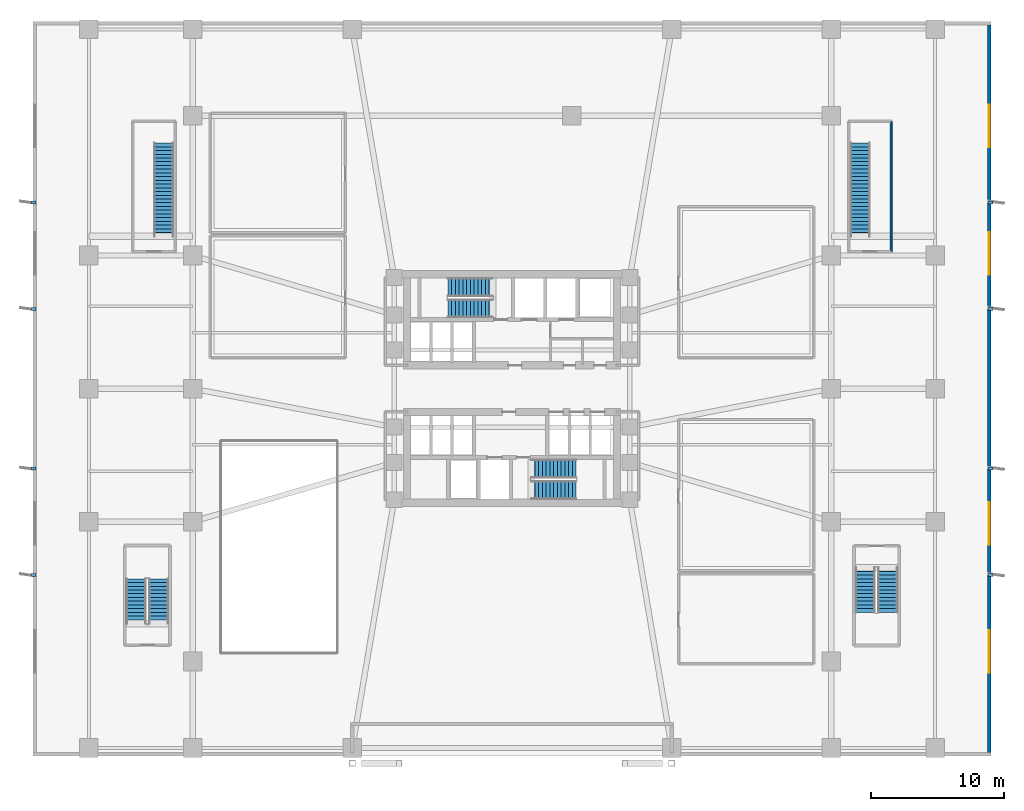
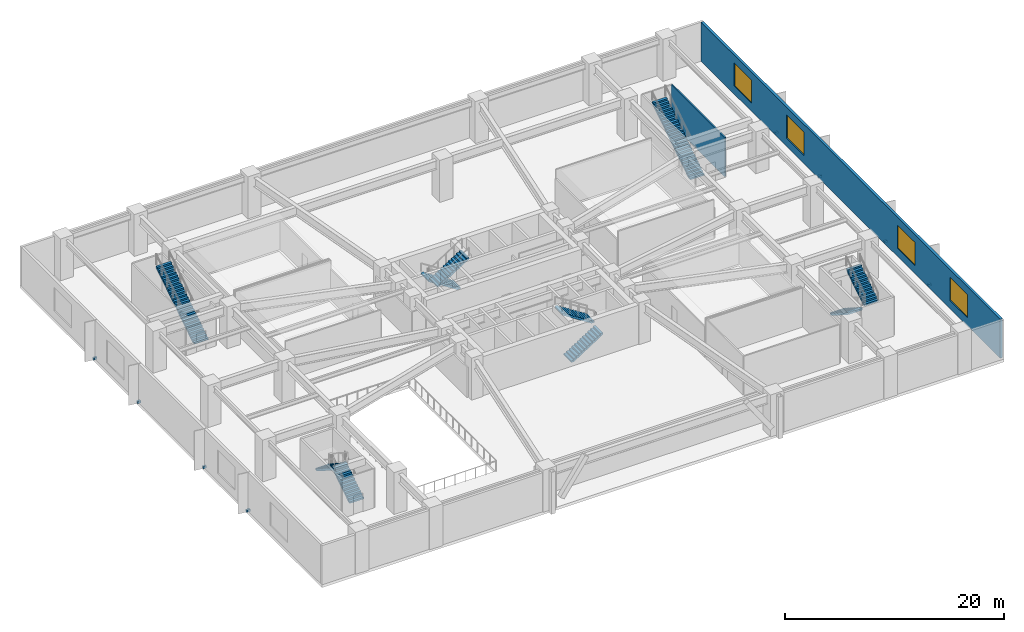
# One storey, part 7 of 12: 10 stair flights, 8 discrete accessories, 4 windows, 2 walls, 4 openings, 6 elements without a shape of their own.
"""IFC4 building model written with IfcOpenShell, lengths in metres."""

from ifc_helpers import new_model, si_unit, direction, frame, frame_2d, origin, origin_2d, place, context, subcontext, project, spatial, polyline, rectangle, outline, extrude, material, layer, layer_set, type_object, element, fill, aggregate, save


model = new_model("IFC4")

# Units and contexts
model_context = context("Model", 3, precision=1e-05, world=origin(), true_north=direction((0.0, 1.0)))
body_context = subcontext(model_context, "Body", "Model", "MODEL_VIEW")
ifc_project = project(units=[si_unit("LENGTHUNIT", "METRE"), si_unit("AREAUNIT", "SQUARE_METRE"), si_unit("VOLUMEUNIT", "CUBIC_METRE"), si_unit("PLANEANGLEUNIT", "RADIAN"), si_unit("MASSUNIT", "GRAM", prefix="KILO")], contexts=[model_context])

# Site, building, storey
site_placement = place(None, origin())
site = spatial("IfcSite", under=ifc_project, at=site_placement, CompositionType="ELEMENT")
building_placement = place(site_placement, origin())
building = spatial("IfcBuilding", under=site, at=building_placement, Name="Solmarez Civic Tower", CompositionType="ELEMENT")
storey_placement = place(building_placement, frame((0.0, 0.0, 5.39990234375)))
storey = spatial("IfcBuildingStorey", under=building, at=storey_placement, Name="L01", CompositionType="ELEMENT", Elevation=5.39990234375)

# Wall, openings, windows
ifc_material_1 = material(Name="Precast concrete C40/50", Category="concrete")
ifc_layer_1 = layer(ifc_material_1, 0.260009765625)
ifc_layer_set_1 = layer_set([ifc_layer_1], Name="Precast concrete C40/50")
wall_type_1 = type_object("IfcWallType", Name="WALL-EXT-260", PredefinedType="SOLIDWALL", material=ifc_layer_set_1)
wall_1_placement = place(storey_placement, frame((35.8701171875, 27.340087890625, 0.0), z_axis=(0.0, 0.0, 1.0), x_axis=(0.0, -1.0, 0.0)))
wall_1 = element("IfcWall", 1, at=wall_1_placement, inside=storey, type_object=wall_type_1, Name="L01 East Exterior Precast Wall", PredefinedType="SOLIDWALL", context=body_context, shape_type="SweptSolid", body=[
    extrude(rectangle(XDim=54.68017578125, YDim=0.260009765625, at=frame_2d((27.340087890625, 0.0))), origin(), (0.0, 0.0, 1.0), 4.360107421875),
])
opening_1_placement = place(wall_1_placement, frame((6.0, 0.0, 0.89990234375)))
opening_1 = element("IfcOpeningElement", 2, at=opening_1_placement, cuts=wall_1, Name="Opening W-16", PredefinedType="OPENING", context=body_context, shape_type="SweptSolid", body=[
    extrude(rectangle(XDim=3.199951171875, YDim=2.60009765625, at=frame_2d((1.60009765625, 1.300048828125))), frame((0.0, 0.139892578125, 0.0), z_axis=(0.0, -1.0, 0.0), x_axis=(1.0, 0.0, 0.0)), (0.0, 0.0, 1.0), 0.280029296875),
])
opening_2_placement = place(wall_1_placement, frame((15.60009765625, 0.0, 0.89990234375)))
opening_2 = element("IfcOpeningElement", 3, at=opening_2_placement, cuts=wall_1, Name="Opening W-16", PredefinedType="OPENING", context=body_context, shape_type="SweptSolid", body=[
    extrude(rectangle(XDim=3.199951171875, YDim=2.60009765625, at=frame_2d((1.60009765625, 1.300048828125))), frame((0.0, 0.139892578125, 0.0), z_axis=(0.0, -1.0, 0.0), x_axis=(1.0, 0.0, 0.0)), (0.0, 0.0, 1.0), 0.280029296875),
])
opening_3_placement = place(wall_1_placement, frame((35.8798828125, 0.0, 0.89990234375)))
opening_3 = element("IfcOpeningElement", 4, at=opening_3_placement, cuts=wall_1, Name="Opening W-16", PredefinedType="OPENING", context=body_context, shape_type="SweptSolid", body=[
    extrude(rectangle(XDim=3.199951171875, YDim=2.60009765625, at=frame_2d((1.60009765625, 1.300048828125))), frame((0.0, 0.139892578125, 0.0), z_axis=(0.0, -1.0, 0.0), x_axis=(1.0, 0.0, 0.0)), (0.0, 0.0, 1.0), 0.280029296875),
])
opening_4_placement = place(wall_1_placement, frame((45.47998046875, 0.0, 0.89990234375)))
opening_4 = element("IfcOpeningElement", 5, at=opening_4_placement, cuts=wall_1, Name="Opening W-16", PredefinedType="OPENING", context=body_context, shape_type="SweptSolid", body=[
    extrude(rectangle(XDim=3.199951171875, YDim=2.60009765625, at=frame_2d((1.60009765625, 1.300048828125))), frame((0.0, 0.139892578125, 0.0), z_axis=(0.0, -1.0, 0.0), x_axis=(1.0, 0.0, 0.0)), (0.0, 0.0, 1.0), 0.280029296875),
])
ifc_material_2 = material(Name="Solar Control Bronze-Tinted Insulating Glass", Category="glass")
window_type = type_object("IfcWindowType", Name="WIN-3200X2600", PartitioningType="SINGLE_PANEL", PredefinedType="WINDOW", material=ifc_material_2)
window_1_placement = place(opening_1_placement, origin())
window_1 = element("IfcWindow", 6, at=window_1_placement, inside=storey, type_object=window_type, Name="L01 Podium Facade Window 1", OverallHeight=2.60009765625, OverallWidth=3.199951171875, PartitioningType="SINGLE_PANEL", PredefinedType="WINDOW", context=body_context, shape_type="SweptSolid", body=[
    extrude(rectangle(XDim=3.199951171875, YDim=2.60009765625, at=frame_2d((1.60009765625, 1.300048828125))), frame((0.0, 0.030029296875, 0.0), z_axis=(0.0, -1.0, 0.0), x_axis=(1.0, 0.0, 0.0)), (0.0, 0.0, 1.0), 0.06005859375),
])
fill(opening_1, window_1)
window_2_placement = place(opening_2_placement, origin())
window_2 = element("IfcWindow", 7, at=window_2_placement, inside=storey, type_object=window_type, Name="L01 Podium Facade Window 2", OverallHeight=2.60009765625, OverallWidth=3.199951171875, PartitioningType="SINGLE_PANEL", PredefinedType="WINDOW", context=body_context, shape_type="SweptSolid", body=[
    extrude(rectangle(XDim=3.199951171875, YDim=2.60009765625, at=frame_2d((1.60009765625, 1.300048828125))), frame((0.0, 0.030029296875, 0.0), z_axis=(0.0, -1.0, 0.0), x_axis=(1.0, 0.0, 0.0)), (0.0, 0.0, 1.0), 0.06005859375),
])
fill(opening_2, window_2)
window_3_placement = place(opening_3_placement, origin())
window_3 = element("IfcWindow", 8, at=window_3_placement, inside=storey, type_object=window_type, Name="L01 Podium Facade Window 3", OverallHeight=2.60009765625, OverallWidth=3.199951171875, PartitioningType="SINGLE_PANEL", PredefinedType="WINDOW", context=body_context, shape_type="SweptSolid", body=[
    extrude(rectangle(XDim=3.199951171875, YDim=2.60009765625, at=frame_2d((1.60009765625, 1.300048828125))), frame((0.0, 0.030029296875, 0.0), z_axis=(0.0, -1.0, 0.0), x_axis=(1.0, 0.0, 0.0)), (0.0, 0.0, 1.0), 0.06005859375),
])
fill(opening_3, window_3)
window_4_placement = place(opening_4_placement, origin())
window_4 = element("IfcWindow", 9, at=window_4_placement, inside=storey, type_object=window_type, Name="L01 Podium Facade Window 4", OverallHeight=2.60009765625, OverallWidth=3.199951171875, PartitioningType="SINGLE_PANEL", PredefinedType="WINDOW", context=body_context, shape_type="SweptSolid", body=[
    extrude(rectangle(XDim=3.199951171875, YDim=2.60009765625, at=frame_2d((1.60009765625, 1.300048828125))), frame((0.0, 0.030029296875, 0.0), z_axis=(0.0, -1.0, 0.0), x_axis=(1.0, 0.0, 0.0)), (0.0, 0.0, 1.0), 0.06005859375),
])
fill(opening_4, window_4)

# Wall
ifc_material_3 = material(Name="Gypsum Board Acoustic Steel-Stud Partition", Category="steel")
ifc_layer_2 = layer(ifc_material_3, 0.14990234375)
ifc_layer_set_2 = layer_set([ifc_layer_2], Name="Gypsum Board Acoustic Steel-Stud Partition")
wall_type_2 = type_object("IfcWallType", Name="WALL-INT-FIRE-150", PredefinedType="PARTITIONING", material=ifc_layer_set_2)
wall_2_placement = place(storey_placement, frame((28.47998046875, 10.300048828125, 0.0), z_axis=(0.0, 0.0, 1.0), x_axis=(0.0, 1.0, 0.0)))
element("IfcWall", 10, at=wall_2_placement, inside=storey, type_object=wall_type_2, Name="L01 Podium Stair P4 Shaft Wall", PredefinedType="PARTITIONING", context=body_context, shape_type="SweptSolid", body=[
    extrude(rectangle(XDim=9.800048828125, YDim=0.14990234375, at=frame_2d((4.89990234375, 0.0))), origin(), (0.0, 0.0, 1.0), 4.360107421875),
])

# Stair, stair flights
ifc_material_4 = material(Name="Concrete C50/60", Category="concrete")
stair_type_1 = type_object("IfcStairType", Name="STAIR-DOGLEG-140W-26R-1800", PredefinedType="HALF_TURN_STAIR", material=ifc_material_4)
stair_1_placement = place(storey_placement, origin())
stair_1 = element("IfcStair", 11, at=stair_1_placement, inside=storey, type_object=stair_type_1, Name="L01 North Core Protected Exit Stair ST-1", PredefinedType="HALF_TURN_STAIR")
stair_flight_type_1 = type_object("IfcStairFlightType", Name="FLIGHT-DOGLEG-140W-13R-1800", PredefinedType="STRAIGHT", material=ifc_material_4)
stair_flight_1_placement = place(storey_placement, frame((-1.449951171875, 7.6201171875, 0.0), z_axis=(0.0, 0.0, 1.0), x_axis=(-1.0, 0.0, 0.0)))
stair_flight_1 = element("IfcStairFlight", 12, at=stair_flight_1_placement, type_object=stair_flight_type_1, Name="ST-1 flight 1", NumberOfRisers=13, NumberOfTreads=12, PredefinedType="STRAIGHT", RiserHeight=0.18, TreadLength=0.28, context=body_context, shape_type="SweptSolid", body=[
    extrude(outline(polyline([(0.0, 0.0), (0.0, 0.179931640625), (0.280029296875, 0.179931640625), (0.280029296875, 0.360107421875), (0.56005859375, 0.360107421875), (0.56005859375, 0.5400390625), (0.840087890625, 0.5400390625), (0.840087890625, 0.719970703125), (1.1201171875, 0.719970703125), (1.1201171875, 0.89990234375), (1.39990234375, 0.89990234375), (1.39990234375, 1.080078125), (1.679931640625, 1.080078125), (1.679931640625, 1.260009765625), (1.9599609375, 1.260009765625), (1.9599609375, 1.43994140625), (2.239990234375, 1.43994140625), (2.239990234375, 1.6201171875), (2.52001953125, 1.6201171875), (2.52001953125, 1.800048828125), (2.800048828125, 1.800048828125), (2.800048828125, 1.97998046875), (3.080078125, 1.97998046875), (3.080078125, 2.159912109375), (3.360107421875, 2.159912109375), (3.360107421875, 2.340087890625), (3.360107421875, 1.969970703125), (0.295654296875, 0.0), (0.0, 0.0)])), frame((0.0, 0.699951171875, 0.0), z_axis=(0.0, -1.0, 0.0), x_axis=(1.0, 0.0, 0.0)), (0.0, 0.0, 1.0), 1.39990234375),
])
stair_flight_2_placement = place(storey_placement, frame((-4.81005859375, 6.02001953125, 2.340087890625), z_axis=(0.0, 0.0, 1.0), x_axis=(1.0, 0.0, 0.0)))
stair_flight_2 = element("IfcStairFlight", 13, at=stair_flight_2_placement, type_object=stair_flight_type_1, Name="ST-1 flight 2", NumberOfRisers=13, NumberOfTreads=12, PredefinedType="STRAIGHT", RiserHeight=0.18, TreadLength=0.28, context=body_context, shape_type="SweptSolid", body=[
    extrude(outline(polyline([(0.0, 0.0), (0.0, 0.179931640625), (0.280029296875, 0.179931640625), (0.280029296875, 0.360107421875), (0.56005859375, 0.360107421875), (0.56005859375, 0.5400390625), (0.840087890625, 0.5400390625), (0.840087890625, 0.719970703125), (1.1201171875, 0.719970703125), (1.1201171875, 0.89990234375), (1.39990234375, 0.89990234375), (1.39990234375, 1.080078125), (1.679931640625, 1.080078125), (1.679931640625, 1.260009765625), (1.9599609375, 1.260009765625), (1.9599609375, 1.43994140625), (2.239990234375, 1.43994140625), (2.239990234375, 1.6201171875), (2.52001953125, 1.6201171875), (2.52001953125, 1.800048828125), (2.800048828125, 1.800048828125), (2.800048828125, 1.97998046875), (3.080078125, 1.97998046875), (3.080078125, 2.159912109375), (3.360107421875, 2.159912109375), (3.360107421875, 2.340087890625), (3.360107421875, 1.969970703125), (0.295654296875, 0.0), (0.0, 0.0)])), frame((0.0, 0.699951171875, 0.0), z_axis=(0.0, -1.0, 0.0), x_axis=(1.0, 0.0, 0.0)), (0.0, 0.0, 1.0), 1.39990234375),
])
aggregate(stair_1, [stair_flight_1, stair_flight_2])

stair_2_placement = place(storey_placement, origin())
stair_2 = element("IfcStair", 14, at=stair_2_placement, inside=storey, type_object=stair_type_1, Name="L01 South Core Protected Exit Stair ST-2", PredefinedType="HALF_TURN_STAIR")
stair_flight_3_placement = place(storey_placement, frame((1.449951171875, -7.6201171875, 0.0), z_axis=(0.0, 0.0, 1.0), x_axis=(1.0, 0.0, 0.0)))
stair_flight_3 = element("IfcStairFlight", 15, at=stair_flight_3_placement, type_object=stair_flight_type_1, Name="ST-2 flight 1", NumberOfRisers=13, NumberOfTreads=12, PredefinedType="STRAIGHT", RiserHeight=0.18, TreadLength=0.28, context=body_context, shape_type="SweptSolid", body=[
    extrude(outline(polyline([(0.0, 0.0), (0.0, 0.179931640625), (0.280029296875, 0.179931640625), (0.280029296875, 0.360107421875), (0.56005859375, 0.360107421875), (0.56005859375, 0.5400390625), (0.840087890625, 0.5400390625), (0.840087890625, 0.719970703125), (1.1201171875, 0.719970703125), (1.1201171875, 0.89990234375), (1.39990234375, 0.89990234375), (1.39990234375, 1.080078125), (1.679931640625, 1.080078125), (1.679931640625, 1.260009765625), (1.9599609375, 1.260009765625), (1.9599609375, 1.43994140625), (2.239990234375, 1.43994140625), (2.239990234375, 1.6201171875), (2.52001953125, 1.6201171875), (2.52001953125, 1.800048828125), (2.800048828125, 1.800048828125), (2.800048828125, 1.97998046875), (3.080078125, 1.97998046875), (3.080078125, 2.159912109375), (3.360107421875, 2.159912109375), (3.360107421875, 2.340087890625), (3.360107421875, 1.969970703125), (0.295654296875, 0.0), (0.0, 0.0)])), frame((0.0, 0.699951171875, 0.0), z_axis=(0.0, -1.0, 0.0), x_axis=(1.0, 0.0, 0.0)), (0.0, 0.0, 1.0), 1.39990234375),
])
stair_flight_4_placement = place(storey_placement, frame((4.81005859375, -6.02001953125, 2.340087890625), z_axis=(0.0, 0.0, 1.0), x_axis=(-1.0, 0.0, 0.0)))
stair_flight_4 = element("IfcStairFlight", 16, at=stair_flight_4_placement, type_object=stair_flight_type_1, Name="ST-2 flight 2", NumberOfRisers=13, NumberOfTreads=12, PredefinedType="STRAIGHT", RiserHeight=0.18, TreadLength=0.28, context=body_context, shape_type="SweptSolid", body=[
    extrude(outline(polyline([(0.0, 0.0), (0.0, 0.179931640625), (0.280029296875, 0.179931640625), (0.280029296875, 0.360107421875), (0.56005859375, 0.360107421875), (0.56005859375, 0.5400390625), (0.840087890625, 0.5400390625), (0.840087890625, 0.719970703125), (1.1201171875, 0.719970703125), (1.1201171875, 0.89990234375), (1.39990234375, 0.89990234375), (1.39990234375, 1.080078125), (1.679931640625, 1.080078125), (1.679931640625, 1.260009765625), (1.9599609375, 1.260009765625), (1.9599609375, 1.43994140625), (2.239990234375, 1.43994140625), (2.239990234375, 1.6201171875), (2.52001953125, 1.6201171875), (2.52001953125, 1.800048828125), (2.800048828125, 1.800048828125), (2.800048828125, 1.97998046875), (3.080078125, 1.97998046875), (3.080078125, 2.159912109375), (3.360107421875, 2.159912109375), (3.360107421875, 2.340087890625), (3.360107421875, 1.969970703125), (0.295654296875, 0.0), (0.0, 0.0)])), frame((0.0, 0.699951171875, 0.0), z_axis=(0.0, -1.0, 0.0), x_axis=(1.0, 0.0, 0.0)), (0.0, 0.0, 1.0), 1.39990234375),
])
aggregate(stair_2, [stair_flight_3, stair_flight_4])

stair_type_2 = type_object("IfcStairType", Name="STAIR-DOGLEG-150W-26R-1800", PredefinedType="HALF_TURN_STAIR", material=ifc_material_4)
stair_3_placement = place(storey_placement, origin())
stair_3 = element("IfcStair", 17, at=stair_3_placement, inside=storey, type_object=stair_type_2, Name="L01 West Podium Exit Stair ST-P1", PredefinedType="HALF_TURN_STAIR")
stair_flight_type_2 = type_object("IfcStairFlightType", Name="FLIGHT-DOGLEG-150W-13R-1800", PredefinedType="STRAIGHT", material=ifc_material_4)
stair_flight_5_placement = place(storey_placement, frame((-26.550048828125, -17.64990234375, 0.0), z_axis=(0.0, 0.0, 1.0), x_axis=(0.0, 1.0, 0.0)))
stair_flight_5 = element("IfcStairFlight", 18, at=stair_flight_5_placement, type_object=stair_flight_type_2, Name="ST-P1 flight 1", NumberOfRisers=13, NumberOfTreads=12, PredefinedType="STRAIGHT", RiserHeight=0.18, TreadLength=0.28, context=body_context, shape_type="SweptSolid", body=[
    extrude(outline(polyline([(0.0, 0.0), (0.0, 0.179931640625), (0.280029296875, 0.179931640625), (0.280029296875, 0.360107421875), (0.56005859375, 0.360107421875), (0.56005859375, 0.5400390625), (0.840087890625, 0.5400390625), (0.840087890625, 0.719970703125), (1.1201171875, 0.719970703125), (1.1201171875, 0.89990234375), (1.39990234375, 0.89990234375), (1.39990234375, 1.080078125), (1.679931640625, 1.080078125), (1.679931640625, 1.260009765625), (1.9599609375, 1.260009765625), (1.9599609375, 1.43994140625), (2.239990234375, 1.43994140625), (2.239990234375, 1.6201171875), (2.52001953125, 1.6201171875), (2.52001953125, 1.800048828125), (2.800048828125, 1.800048828125), (2.800048828125, 1.97998046875), (3.080078125, 1.97998046875), (3.080078125, 2.159912109375), (3.360107421875, 2.159912109375), (3.360107421875, 2.340087890625), (3.360107421875, 1.969970703125), (0.295654296875, 0.0), (0.0, 0.0)])), frame((0.0, 0.75, 0.0), z_axis=(0.0, -1.0, 0.0), x_axis=(1.0, 0.0, 0.0)), (0.0, 0.0, 1.0), 1.5),
])
stair_flight_6_placement = place(storey_placement, frame((-28.25, -14.2900390625, 2.340087890625), z_axis=(0.0, 0.0, 1.0), x_axis=(0.0, -1.0, 0.0)))
stair_flight_6 = element("IfcStairFlight", 19, at=stair_flight_6_placement, type_object=stair_flight_type_2, Name="ST-P1 flight 2", NumberOfRisers=13, NumberOfTreads=12, PredefinedType="STRAIGHT", RiserHeight=0.18, TreadLength=0.28, context=body_context, shape_type="SweptSolid", body=[
    extrude(outline(polyline([(0.0, 0.0), (0.0, 0.179931640625), (0.280029296875, 0.179931640625), (0.280029296875, 0.360107421875), (0.56005859375, 0.360107421875), (0.56005859375, 0.5400390625), (0.840087890625, 0.5400390625), (0.840087890625, 0.719970703125), (1.1201171875, 0.719970703125), (1.1201171875, 0.89990234375), (1.39990234375, 0.89990234375), (1.39990234375, 1.080078125), (1.679931640625, 1.080078125), (1.679931640625, 1.260009765625), (1.9599609375, 1.260009765625), (1.9599609375, 1.43994140625), (2.239990234375, 1.43994140625), (2.239990234375, 1.6201171875), (2.52001953125, 1.6201171875), (2.52001953125, 1.800048828125), (2.800048828125, 1.800048828125), (2.800048828125, 1.97998046875), (3.080078125, 1.97998046875), (3.080078125, 2.159912109375), (3.360107421875, 2.159912109375), (3.360107421875, 2.340087890625), (3.360107421875, 1.969970703125), (0.295654296875, 0.0), (0.0, 0.0)])), frame((0.0, 0.75, 0.0), z_axis=(0.0, -1.0, 0.0), x_axis=(1.0, 0.0, 0.0)), (0.0, 0.0, 1.0), 1.5),
])
aggregate(stair_3, [stair_flight_5, stair_flight_6])

stair_4_placement = place(storey_placement, origin())
stair_4 = element("IfcStair", 20, at=stair_4_placement, inside=storey, type_object=stair_type_2, Name="L01 East Podium Exit Stair ST-P2", PredefinedType="HALF_TURN_STAIR")
stair_flight_7_placement = place(storey_placement, frame((26.550048828125, -13.449951171875, 0.0), z_axis=(0.0, 0.0, 1.0), x_axis=(0.0, -1.0, 0.0)))
stair_flight_7 = element("IfcStairFlight", 21, at=stair_flight_7_placement, type_object=stair_flight_type_2, Name="ST-P2 flight 1", NumberOfRisers=13, NumberOfTreads=12, PredefinedType="STRAIGHT", RiserHeight=0.18, TreadLength=0.28, context=body_context, shape_type="SweptSolid", body=[
    extrude(outline(polyline([(0.0, 0.0), (0.0, 0.179931640625), (0.280029296875, 0.179931640625), (0.280029296875, 0.360107421875), (0.56005859375, 0.360107421875), (0.56005859375, 0.5400390625), (0.840087890625, 0.5400390625), (0.840087890625, 0.719970703125), (1.1201171875, 0.719970703125), (1.1201171875, 0.89990234375), (1.39990234375, 0.89990234375), (1.39990234375, 1.080078125), (1.679931640625, 1.080078125), (1.679931640625, 1.260009765625), (1.9599609375, 1.260009765625), (1.9599609375, 1.43994140625), (2.239990234375, 1.43994140625), (2.239990234375, 1.6201171875), (2.52001953125, 1.6201171875), (2.52001953125, 1.800048828125), (2.800048828125, 1.800048828125), (2.800048828125, 1.97998046875), (3.080078125, 1.97998046875), (3.080078125, 2.159912109375), (3.360107421875, 2.159912109375), (3.360107421875, 2.340087890625), (3.360107421875, 1.969970703125), (0.295654296875, 0.0), (0.0, 0.0)])), frame((0.0, 0.75, 0.0), z_axis=(0.0, -1.0, 0.0), x_axis=(1.0, 0.0, 0.0)), (0.0, 0.0, 1.0), 1.5),
])
stair_flight_8_placement = place(storey_placement, frame((28.25, -16.81005859375, 2.340087890625), z_axis=(0.0, 0.0, 1.0), x_axis=(0.0, 1.0, 0.0)))
stair_flight_8 = element("IfcStairFlight", 22, at=stair_flight_8_placement, type_object=stair_flight_type_2, Name="ST-P2 flight 2", NumberOfRisers=13, NumberOfTreads=12, PredefinedType="STRAIGHT", RiserHeight=0.18, TreadLength=0.28, context=body_context, shape_type="SweptSolid", body=[
    extrude(outline(polyline([(0.0, 0.0), (0.0, 0.179931640625), (0.280029296875, 0.179931640625), (0.280029296875, 0.360107421875), (0.56005859375, 0.360107421875), (0.56005859375, 0.5400390625), (0.840087890625, 0.5400390625), (0.840087890625, 0.719970703125), (1.1201171875, 0.719970703125), (1.1201171875, 0.89990234375), (1.39990234375, 0.89990234375), (1.39990234375, 1.080078125), (1.679931640625, 1.080078125), (1.679931640625, 1.260009765625), (1.9599609375, 1.260009765625), (1.9599609375, 1.43994140625), (2.239990234375, 1.43994140625), (2.239990234375, 1.6201171875), (2.52001953125, 1.6201171875), (2.52001953125, 1.800048828125), (2.800048828125, 1.800048828125), (2.800048828125, 1.97998046875), (3.080078125, 1.97998046875), (3.080078125, 2.159912109375), (3.360107421875, 2.159912109375), (3.360107421875, 2.340087890625), (3.360107421875, 1.969970703125), (0.295654296875, 0.0), (0.0, 0.0)])), frame((0.0, 0.75, 0.0), z_axis=(0.0, -1.0, 0.0), x_axis=(1.0, 0.0, 0.0)), (0.0, 0.0, 1.0), 1.5),
])
aggregate(stair_4, [stair_flight_7, stair_flight_8])

# Stair, stair flight
stair_type_3 = type_object("IfcStairType", Name="STAIR-POD-STR-26R", PredefinedType="STRAIGHT_RUN_STAIR", material=ifc_material_4)
stair_5_placement = place(storey_placement, origin())
stair_5 = element("IfcStair", 23, at=stair_5_placement, inside=storey, type_object=stair_type_3, Name="L01 Podium Straight Stair ST-P3", PredefinedType="STRAIGHT_RUN_STAIR")
stair_flight_type_3 = type_object("IfcStairFlightType", Name="FLIGHT-POD-STR-26R", PredefinedType="STRAIGHT", material=ifc_material_4)
stair_flight_9_placement = place(storey_placement, frame((-26.175048828125, 11.449951171875, 0.0), z_axis=(0.0, 0.0, 1.0), x_axis=(0.0, 1.0, 0.0)))
stair_flight_9 = element("IfcStairFlight", 24, at=stair_flight_9_placement, type_object=stair_flight_type_3, Name="STP-26R flight 1", NumberOfRisers=26, NumberOfTreads=25, PredefinedType="STRAIGHT", RiserHeight=0.18, TreadLength=0.28, context=body_context, shape_type="SweptSolid", body=[
    extrude(outline(polyline([(0.0, 0.0), (0.0, 0.179931640625), (0.280029296875, 0.179931640625), (0.280029296875, 0.360107421875), (0.56005859375, 0.360107421875), (0.56005859375, 0.5400390625), (0.840087890625, 0.5400390625), (0.840087890625, 0.719970703125), (1.1201171875, 0.719970703125), (1.1201171875, 0.89990234375), (1.39990234375, 0.89990234375), (1.39990234375, 1.080078125), (1.679931640625, 1.080078125), (1.679931640625, 1.260009765625), (1.9599609375, 1.260009765625), (1.9599609375, 1.43994140625), (2.239990234375, 1.43994140625), (2.239990234375, 1.6201171875), (2.52001953125, 1.6201171875), (2.52001953125, 1.800048828125), (2.800048828125, 1.800048828125), (2.800048828125, 1.97998046875), (3.080078125, 1.97998046875), (3.080078125, 2.159912109375), (3.360107421875, 2.159912109375), (3.360107421875, 2.340087890625), (3.639892578125, 2.340087890625), (3.639892578125, 2.52001953125), (3.919921875, 2.52001953125), (3.919921875, 2.699951171875), (4.199951171875, 2.699951171875), (4.199951171875, 2.8798828125), (4.47998046875, 2.8798828125), (4.47998046875, 3.06005859375), (4.760009765625, 3.06005859375), (4.760009765625, 3.239990234375), (5.0400390625, 3.239990234375), (5.0400390625, 3.419921875), (5.320068359375, 3.419921875), (5.320068359375, 3.60009765625), (5.60009765625, 3.60009765625), (5.60009765625, 3.780029296875), (5.8798828125, 3.780029296875), (5.8798828125, 3.9599609375), (6.159912109375, 3.9599609375), (6.159912109375, 4.139892578125), (6.43994140625, 4.139892578125), (6.43994140625, 4.320068359375), (6.719970703125, 4.320068359375), (6.719970703125, 4.5), (7.0, 4.5), (7.0, 4.679931640625), (7.0, 4.2861328125), (0.332763671875, 0.0), (0.0, 0.0)])), frame((0.0, 0.75, 0.0), z_axis=(0.0, -1.0, 0.0), x_axis=(1.0, 0.0, 0.0)), (0.0, 0.0, 1.0), 1.5),
])
aggregate(stair_5, [stair_flight_9])

stair_6_placement = place(storey_placement, origin())
stair_6 = element("IfcStair", 25, at=stair_6_placement, inside=storey, type_object=stair_type_3, Name="L01 Podium Straight Stair ST-P4", PredefinedType="STRAIGHT_RUN_STAIR")
stair_flight_10_placement = place(storey_placement, frame((26.175048828125, 11.449951171875, 0.0), z_axis=(0.0, 0.0, 1.0), x_axis=(0.0, 1.0, 0.0)))
stair_flight_10 = element("IfcStairFlight", 26, at=stair_flight_10_placement, type_object=stair_flight_type_3, Name="STP-26R flight 1", NumberOfRisers=26, NumberOfTreads=25, PredefinedType="STRAIGHT", RiserHeight=0.18, TreadLength=0.28, context=body_context, shape_type="SweptSolid", body=[
    extrude(outline(polyline([(0.0, 0.0), (0.0, 0.179931640625), (0.280029296875, 0.179931640625), (0.280029296875, 0.360107421875), (0.56005859375, 0.360107421875), (0.56005859375, 0.5400390625), (0.840087890625, 0.5400390625), (0.840087890625, 0.719970703125), (1.1201171875, 0.719970703125), (1.1201171875, 0.89990234375), (1.39990234375, 0.89990234375), (1.39990234375, 1.080078125), (1.679931640625, 1.080078125), (1.679931640625, 1.260009765625), (1.9599609375, 1.260009765625), (1.9599609375, 1.43994140625), (2.239990234375, 1.43994140625), (2.239990234375, 1.6201171875), (2.52001953125, 1.6201171875), (2.52001953125, 1.800048828125), (2.800048828125, 1.800048828125), (2.800048828125, 1.97998046875), (3.080078125, 1.97998046875), (3.080078125, 2.159912109375), (3.360107421875, 2.159912109375), (3.360107421875, 2.340087890625), (3.639892578125, 2.340087890625), (3.639892578125, 2.52001953125), (3.919921875, 2.52001953125), (3.919921875, 2.699951171875), (4.199951171875, 2.699951171875), (4.199951171875, 2.8798828125), (4.47998046875, 2.8798828125), (4.47998046875, 3.06005859375), (4.760009765625, 3.06005859375), (4.760009765625, 3.239990234375), (5.0400390625, 3.239990234375), (5.0400390625, 3.419921875), (5.320068359375, 3.419921875), (5.320068359375, 3.60009765625), (5.60009765625, 3.60009765625), (5.60009765625, 3.780029296875), (5.8798828125, 3.780029296875), (5.8798828125, 3.9599609375), (6.159912109375, 3.9599609375), (6.159912109375, 4.139892578125), (6.43994140625, 4.139892578125), (6.43994140625, 4.320068359375), (6.719970703125, 4.320068359375), (6.719970703125, 4.5), (7.0, 4.5), (7.0, 4.679931640625), (7.0, 4.2861328125), (0.332763671875, 0.0), (0.0, 0.0)])), frame((0.0, 0.75, 0.0), z_axis=(0.0, -1.0, 0.0), x_axis=(1.0, 0.0, 0.0)), (0.0, 0.0, 1.0), 1.5),
])
aggregate(stair_6, [stair_flight_10])

# Discrete accessories
ifc_material_5 = material(Name="Stainless Steel Grade 1.4401", Category="steel")
discrete_accessory_type = type_object("IfcDiscreteAccessoryType", Name="BRACKET-SS-FIN", PredefinedType="BRACKET", material=ifc_material_5)
for number, where, z_axis, x_axis, name in (
    (27, (35.949951171875, -14.0, -0.06005859375), (0.0, 0.0, 1.0), (1.0, 0.0, 0.0), "L01 Stainless Fin Support Bracket FIN-L01-E1"),
    (28, (35.949951171875, -6.0, -0.06005859375), (0.0, 0.0, 1.0), (1.0, 0.0, 0.0), "L01 Stainless Fin Support Bracket FIN-L01-E2"),
    (29, (35.949951171875, 6.0, -0.06005859375), (0.0, 0.0, 1.0), (1.0, 0.0, 0.0), "L01 Stainless Fin Support Bracket FIN-L01-E3"),
    (30, (35.949951171875, 14.0, -0.06005859375), (0.0, 0.0, 1.0), (1.0, 0.0, 0.0), "L01 Stainless Fin Support Bracket FIN-L01-E4"),
    (31, (-35.949951171875, -14.0, -0.06005859375), (0.0, 0.0, 1.0), (-1.0, 0.0, 0.0), "L01 Stainless Fin Support Bracket FIN-L01-W1"),
    (32, (-35.949951171875, -6.0, -0.06005859375), (0.0, 0.0, 1.0), (-1.0, 0.0, 0.0), "L01 Stainless Fin Support Bracket FIN-L01-W2"),
    (33, (-35.949951171875, 6.0, -0.06005859375), (0.0, 0.0, 1.0), (-1.0, 0.0, 0.0), "L01 Stainless Fin Support Bracket FIN-L01-W3"),
    (34, (-35.949951171875, 14.0, -0.06005859375), (0.0, 0.0, 1.0), (-1.0, 0.0, 0.0), "L01 Stainless Fin Support Bracket FIN-L01-W4"),
):
    element("IfcDiscreteAccessory", number, at=place(storey_placement, frame(where, z_axis=z_axis, x_axis=x_axis)), inside=storey, type_object=discrete_accessory_type, Name=name, PredefinedType="BRACKET", context=body_context, shape_type="SweptSolid", body=[
        extrude(rectangle(XDim=0.360107421875, YDim=0.219970703125, at=origin_2d()), origin(), (0.0, 0.0, 1.0), 0.239990234375),
    ])

save(model, "model.ifc")
